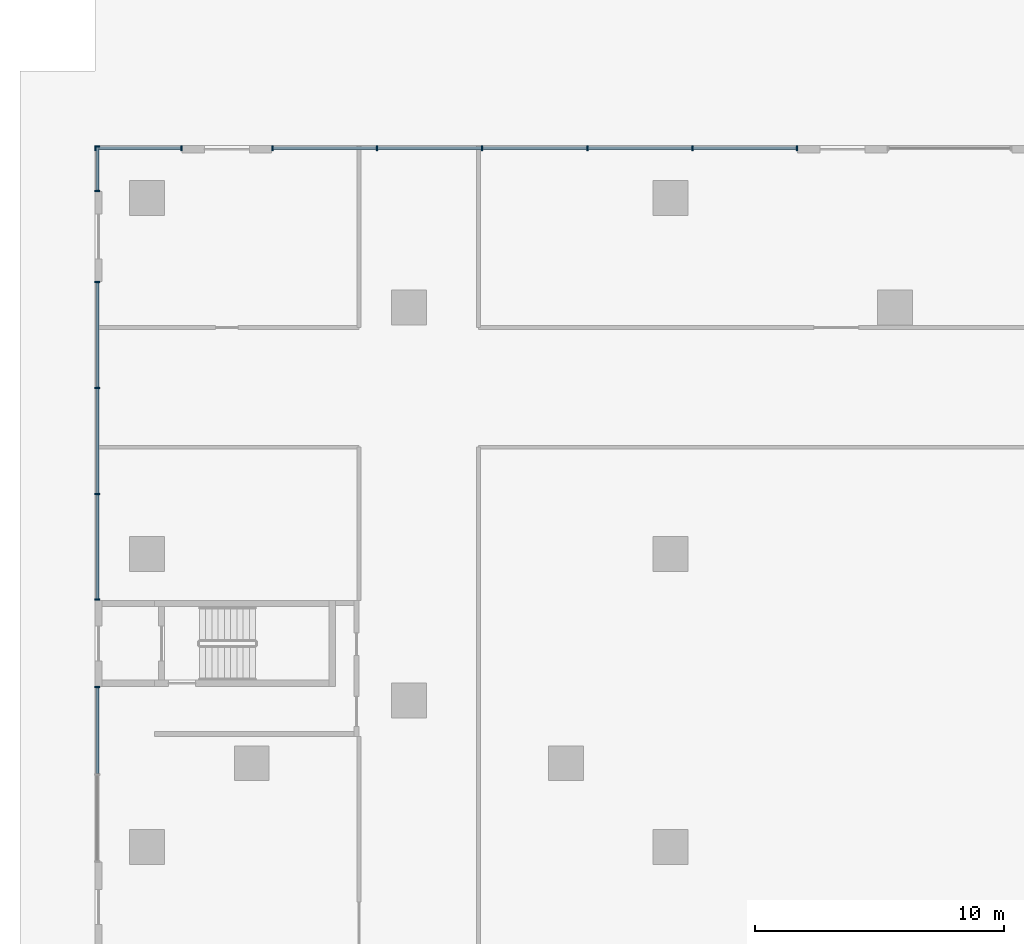
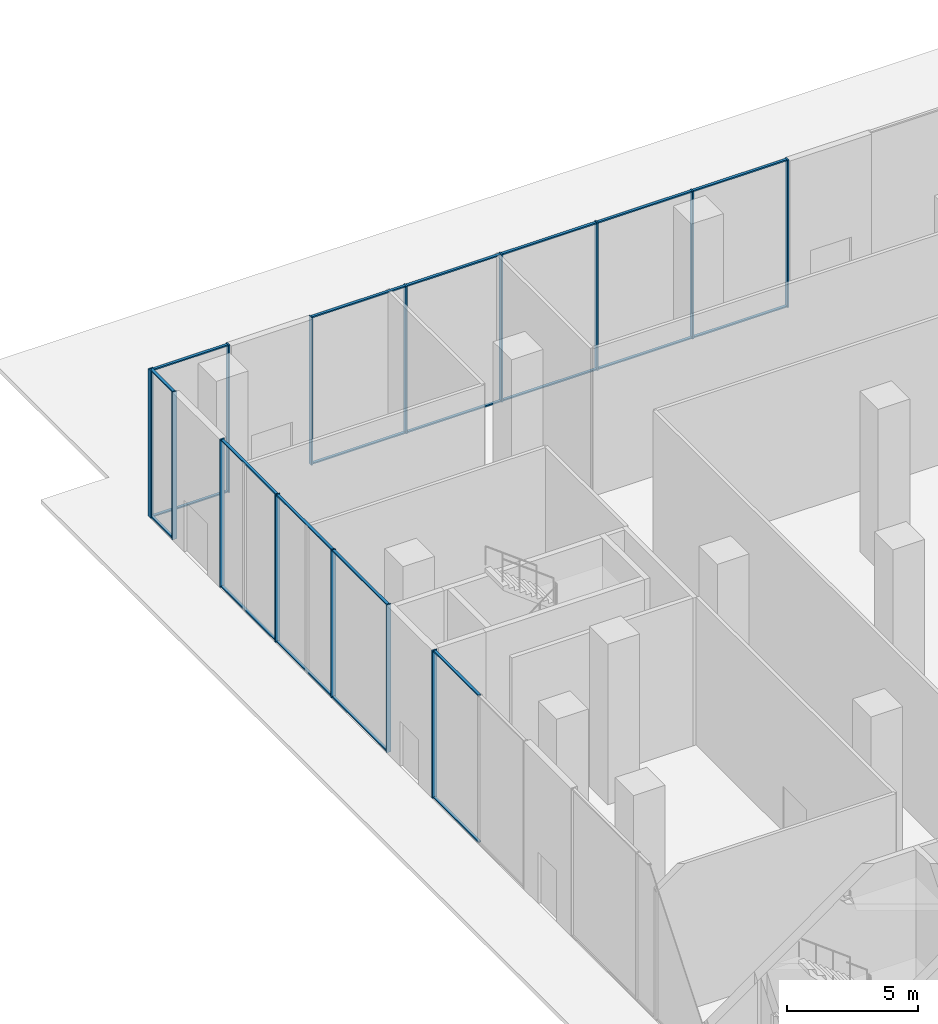
# One storey, part 9 of 26: 37 members, 5 elements without a shape of their own.
"""IFC4 building model written with IfcOpenShell, lengths in metres."""

from ifc_helpers import new_model, si_unit, direction, frame, origin, origin_2d, place, context, subcontext, project, spatial, rectangle, extrude, source, transform, mapped, material, layer, layer_set, material_profile, profile_set, type_object, element, aggregate, save


model = new_model("IFC4")

# Units and contexts
model_context = context("Model", 3, precision=1e-05, world=origin(), true_north=direction((0.0, 1.0)))
body_context = subcontext(model_context, "Body", "Model", "MODEL_VIEW")
ifc_project = project(units=[si_unit("LENGTHUNIT", "METRE"), si_unit("AREAUNIT", "SQUARE_METRE"), si_unit("VOLUMEUNIT", "CUBIC_METRE"), si_unit("PLANEANGLEUNIT", "RADIAN"), si_unit("MASSUNIT", "GRAM", prefix="KILO")], contexts=[model_context])

# Site, building, storey
site_placement = place(None, origin())
site = spatial("IfcSite", under=ifc_project, at=site_placement, CompositionType="ELEMENT")
building_placement = place(site_placement, origin())
building = spatial("IfcBuilding", under=site, at=building_placement, Name="Aurelian Terraces", CompositionType="ELEMENT")
storey_placement = place(building_placement, origin())
storey = spatial("IfcBuildingStorey", under=building, at=storey_placement, Name="L00", CompositionType="ELEMENT", Elevation=0.0)

# Curtain wall, member
ifc_material_1 = material(Name="Anodised aluminium and clear glazing", Category="aluminium")
ifc_layer = layer(ifc_material_1, 0.2)
ifc_layer_set = layer_set([ifc_layer], Name="Podium shopfront curtain wall")
curtain_wall_type = type_object("IfcCurtainWallType", Name="Podium shopfront curtain wall", PredefinedType="NOTDEFINED", material=ifc_layer_set)
curtain_wall_1_placement = place(storey_placement, origin())
curtain_wall_1 = element("IfcCurtainWall", 1, at=curtain_wall_1_placement, inside=storey, type_object=curtain_wall_type, Name="Podium shopfront L00 F06.1", PredefinedType="NOTDEFINED")
ifc_material_2 = material(Name="Anodised aluminium", Category="aluminium")
ifc_material_profile_1 = material_profile(ifc_material_2, rectangle(XDim=0.12, YDim=0.06, at=origin_2d()))
ifc_profile_set_1 = profile_set([ifc_material_profile_1], Name="Anodised aluminium")
member_type_1 = type_object("IfcMemberType", Name="Podium shopfront transom", PredefinedType="USERDEFINED", material=ifc_profile_set_1)
member_1_placement = place(storey_placement, frame((-2.0, 86.04, 0.03), z_axis=(0.0, -1.0, 0.0), x_axis=(1.0, 0.0, 0.0)))
member_1 = element("IfcMember", 2, at=member_1_placement, type_object=member_type_1, Name="CW1 transom 1.1", ObjectType="TRANSOM", PredefinedType="USERDEFINED", context=body_context, shape_type="SweptSolid", body=[
    extrude(rectangle(XDim=0.12, YDim=0.06, at=origin_2d()), origin(), (0.0, 0.0, 1.0), 1.73),
])

# Curtain wall, members
curtain_wall_2_placement = place(storey_placement, origin())
curtain_wall_2 = element("IfcCurtainWall", 3, at=curtain_wall_2_placement, inside=storey, type_object=curtain_wall_type, Name="Podium shopfront L00 F06.3", PredefinedType="NOTDEFINED")
member_2_placement = place(storey_placement, frame((-2.0, 80.59, 0.03), z_axis=(0.0, -1.0, 0.0), x_axis=(1.0, 0.0, 0.0)))
member_2 = element("IfcMember", 4, at=member_2_placement, type_object=member_type_1, Name="CW1 transom 1.1", ObjectType="TRANSOM", PredefinedType="USERDEFINED", context=body_context, shape_type="SweptSolid", body=[
    extrude(rectangle(XDim=0.12, YDim=0.06, at=origin_2d()), origin(), (0.0, 0.0, 1.0), 4.1767),
])
member_3_placement = place(storey_placement, frame((-2.0, 76.3533, 0.03), z_axis=(0.0, -1.0, 0.0), x_axis=(1.0, 0.0, 0.0)))
member_3 = element("IfcMember", 5, at=member_3_placement, type_object=member_type_1, Name="CW1 transom 2.1", ObjectType="TRANSOM", PredefinedType="USERDEFINED", context=body_context, shape_type="SweptSolid", body=[
    extrude(rectangle(XDim=0.12, YDim=0.06, at=origin_2d()), origin(), (0.0, 0.0, 1.0), 4.2066),
])

# Curtain wall, member
curtain_wall_3_placement = place(storey_placement, origin())
curtain_wall_3 = element("IfcCurtainWall", 6, at=curtain_wall_3_placement, inside=storey, type_object=curtain_wall_type, Name="Podium shopfront L00 F06.4", PredefinedType="NOTDEFINED")
member_4_placement = place(storey_placement, frame((-2.0, 64.34, 0.03), z_axis=(0.0, -1.0, 0.0), x_axis=(1.0, 0.0, 0.0)))
member_4 = element("IfcMember", 7, at=member_4_placement, type_object=member_type_1, Name="CW1 transom 1.1", ObjectType="TRANSOM", PredefinedType="USERDEFINED", context=body_context, shape_type="SweptSolid", body=[
    extrude(rectangle(XDim=0.12, YDim=0.06, at=origin_2d()), origin(), (0.0, 0.0, 1.0), 3.435),
])

# Curtain wall, members
curtain_wall_4_placement = place(storey_placement, origin())
curtain_wall_4 = element("IfcCurtainWall", 8, at=curtain_wall_4_placement, inside=storey, type_object=curtain_wall_type, Name="Podium shopfront L00 F05.5", PredefinedType="NOTDEFINED")
ifc_material_profile_2 = material_profile(ifc_material_2, rectangle(XDim=0.2, YDim=0.06, at=origin_2d()))
ifc_profile_set_2 = profile_set([ifc_material_profile_2], Name="Anodised aluminium")
member_type_2 = type_object("IfcMemberType", Name="Podium shopfront mullion", PredefinedType="MULLION", material=ifc_profile_set_2)
shared_shape_1 = source(origin(), body_context, "Body", "SweptSolid", [
    extrude(rectangle(XDim=0.2, YDim=0.06, at=origin_2d()), origin(), (0.0, 0.0, 1.0), 6.9),
])
member_5_placement = place(storey_placement, frame((26.07, 86.0, 0.0), z_axis=(0.0, 0.0, 1.0), x_axis=(0.0, -1.0, 0.0)))
member_5 = element("IfcMember", 9, at=member_5_placement, type_object=member_type_2, Name="CW1 mullion 1", PredefinedType="MULLION", context=body_context, shape_type="MappedRepresentation", body=[
    mapped(shared_shape_1, transform((0.0, 0.0, 0.0), scale=1.0)),
])
member_6_placement = place(storey_placement, frame((21.88, 86.0, 0.0), z_axis=(0.0, 0.0, 1.0), x_axis=(0.0, -1.0, 0.0)))
member_6 = element("IfcMember", 10, at=member_6_placement, type_object=member_type_2, Name="CW1 mullion 2", PredefinedType="MULLION", context=body_context, shape_type="MappedRepresentation", body=[
    mapped(shared_shape_1, transform((0.0, 0.0, 0.0), scale=1.0)),
])
member_7_placement = place(storey_placement, frame((17.66, 86.0, 0.0), z_axis=(0.0, 0.0, 1.0), x_axis=(0.0, -1.0, 0.0)))
member_7 = element("IfcMember", 11, at=member_7_placement, type_object=member_type_2, Name="CW1 mullion 3", PredefinedType="MULLION", context=body_context, shape_type="MappedRepresentation", body=[
    mapped(shared_shape_1, transform((0.0, 0.0, 0.0), scale=1.0)),
])
member_8_placement = place(storey_placement, frame((13.44, 86.0, 0.0), z_axis=(0.0, 0.0, 1.0), x_axis=(0.0, -1.0, 0.0)))
member_8 = element("IfcMember", 12, at=member_8_placement, type_object=member_type_2, Name="CW1 mullion 4", PredefinedType="MULLION", context=body_context, shape_type="MappedRepresentation", body=[
    mapped(shared_shape_1, transform((0.0, 0.0, 0.0), scale=1.0)),
])
member_9_placement = place(storey_placement, frame((9.22, 86.0, 0.0), z_axis=(0.0, 0.0, 1.0), x_axis=(0.0, -1.0, 0.0)))
member_9 = element("IfcMember", 13, at=member_9_placement, type_object=member_type_2, Name="CW1 mullion 5", PredefinedType="MULLION", context=body_context, shape_type="MappedRepresentation", body=[
    mapped(shared_shape_1, transform((0.0, 0.0, 0.0), scale=1.0)),
])
member_10_placement = place(storey_placement, frame((5.03, 86.0, 0.0), z_axis=(0.0, 0.0, 1.0), x_axis=(0.0, -1.0, 0.0)))
member_10 = element("IfcMember", 14, at=member_10_placement, type_object=member_type_2, Name="CW1 mullion 6", PredefinedType="MULLION", context=body_context, shape_type="MappedRepresentation", body=[
    mapped(shared_shape_1, transform((0.0, 0.0, 0.0), scale=1.0)),
])

curtain_wall_5_placement = place(storey_placement, origin())
curtain_wall_5 = element("IfcCurtainWall", 15, at=curtain_wall_5_placement, inside=storey, type_object=curtain_wall_type, Name="Podium shopfront L00 F05.7", PredefinedType="NOTDEFINED")
member_11_placement = place(storey_placement, frame((1.37, 86.0, 0.0), z_axis=(0.0, 0.0, 1.0), x_axis=(0.0, -1.0, 0.0)))
member_11 = element("IfcMember", 16, at=member_11_placement, type_object=member_type_2, Name="CW1 mullion 1", PredefinedType="MULLION", context=body_context, shape_type="MappedRepresentation", body=[
    mapped(shared_shape_1, transform((0.0, 0.0, 0.0), scale=1.0)),
])
member_12_placement = place(storey_placement, frame((-2.07, 86.0, 0.0), z_axis=(0.0, 0.0, 1.0), x_axis=(0.0, -1.0, 0.0)))
member_12 = element("IfcMember", 17, at=member_12_placement, type_object=member_type_2, Name="CW1 mullion 2", PredefinedType="MULLION", context=body_context, shape_type="MappedRepresentation", body=[
    mapped(shared_shape_1, transform((0.0, 0.0, 0.0), scale=1.0)),
])

# Member
member_13_placement = place(storey_placement, frame((-2.0, 86.07, 0.0), z_axis=(0.0, 0.0, 1.0), x_axis=(1.0, 0.0, 0.0)))
member_13 = element("IfcMember", 18, at=member_13_placement, type_object=member_type_2, Name="CW1 mullion 1", PredefinedType="MULLION", context=body_context, shape_type="MappedRepresentation", body=[
    mapped(shared_shape_1, transform((0.0, 0.0, 0.0), scale=1.0)),
])

member_14_placement = place(storey_placement, frame((-2.0, 84.28, 0.0), z_axis=(0.0, 0.0, 1.0), x_axis=(1.0, 0.0, 0.0)))
member_14 = element("IfcMember", 19, at=member_14_placement, type_object=member_type_2, Name="CW1 mullion 2", PredefinedType="MULLION", context=body_context, shape_type="MappedRepresentation", body=[
    mapped(shared_shape_1, transform((0.0, 0.0, 0.0), scale=1.0)),
])

member_15_placement = place(storey_placement, frame((-2.0, 80.62, 0.0), z_axis=(0.0, 0.0, 1.0), x_axis=(1.0, 0.0, 0.0)))
member_15 = element("IfcMember", 20, at=member_15_placement, type_object=member_type_2, Name="CW1 mullion 1", PredefinedType="MULLION", context=body_context, shape_type="MappedRepresentation", body=[
    mapped(shared_shape_1, transform((0.0, 0.0, 0.0), scale=1.0)),
])

member_16_placement = place(storey_placement, frame((-2.0, 76.3833, 0.0), z_axis=(0.0, 0.0, 1.0), x_axis=(1.0, 0.0, 0.0)))
member_16 = element("IfcMember", 21, at=member_16_placement, type_object=member_type_2, Name="CW1 mullion 2", PredefinedType="MULLION", context=body_context, shape_type="MappedRepresentation", body=[
    mapped(shared_shape_1, transform((0.0, 0.0, 0.0), scale=1.0)),
])

member_17_placement = place(storey_placement, frame((-2.0, 72.1167, 0.0), z_axis=(0.0, 0.0, 1.0), x_axis=(1.0, 0.0, 0.0)))
member_17 = element("IfcMember", 22, at=member_17_placement, type_object=member_type_2, Name="CW1 mullion 3", PredefinedType="MULLION", context=body_context, shape_type="MappedRepresentation", body=[
    mapped(shared_shape_1, transform((0.0, 0.0, 0.0), scale=1.0)),
])

member_18_placement = place(storey_placement, frame((-2.0, 67.88, 0.0), z_axis=(0.0, 0.0, 1.0), x_axis=(1.0, 0.0, 0.0)))
member_18 = element("IfcMember", 23, at=member_18_placement, type_object=member_type_2, Name="CW1 mullion 4", PredefinedType="MULLION", context=body_context, shape_type="MappedRepresentation", body=[
    mapped(shared_shape_1, transform((0.0, 0.0, 0.0), scale=1.0)),
])

member_19_placement = place(storey_placement, frame((-2.0, 64.37, 0.0), z_axis=(0.0, 0.0, 1.0), x_axis=(1.0, 0.0, 0.0)))
member_19 = element("IfcMember", 24, at=member_19_placement, type_object=member_type_2, Name="CW1 mullion 1", PredefinedType="MULLION", context=body_context, shape_type="MappedRepresentation", body=[
    mapped(shared_shape_1, transform((0.0, 0.0, 0.0), scale=1.0)),
])

shared_shape_2 = source(origin(), body_context, "Body", "SweptSolid", [
    extrude(rectangle(XDim=0.12, YDim=0.06, at=origin_2d()), origin(), (0.0, 0.0, 1.0), 3.38),
])
member_20_placement = place(storey_placement, frame((1.34, 86.0, 0.03), z_axis=(-1.0, 0.0, 0.0), x_axis=(0.0, -1.0, 0.0)))
member_20 = element("IfcMember", 25, at=member_20_placement, type_object=member_type_1, Name="CW1 transom 1.1", ObjectType="TRANSOM", PredefinedType="USERDEFINED", context=body_context, shape_type="MappedRepresentation", body=[
    mapped(shared_shape_2, transform((0.0, 0.0, 0.0), scale=1.0)),
])

member_21_placement = place(storey_placement, frame((1.34, 86.0, 6.87), z_axis=(-1.0, 0.0, 0.0), x_axis=(0.0, -1.0, 0.0)))
member_21 = element("IfcMember", 26, at=member_21_placement, type_object=member_type_1, Name="CW1 transom 1.2", ObjectType="TRANSOM", PredefinedType="USERDEFINED", context=body_context, shape_type="MappedRepresentation", body=[
    mapped(shared_shape_2, transform((0.0, 0.0, 0.0), scale=1.0)),
])

aggregate(curtain_wall_5, [member_11, member_12, member_20, member_21])

shared_shape_3 = source(origin(), body_context, "Body", "SweptSolid", [
    extrude(rectangle(XDim=0.12, YDim=0.06, at=origin_2d()), origin(), (0.0, 0.0, 1.0), 4.13),
])
member_22_placement = place(storey_placement, frame((26.04, 86.0, 0.03), z_axis=(-1.0, 0.0, 0.0), x_axis=(0.0, -1.0, 0.0)))
member_22 = element("IfcMember", 27, at=member_22_placement, type_object=member_type_1, Name="CW1 transom 1.1", ObjectType="TRANSOM", PredefinedType="USERDEFINED", context=body_context, shape_type="MappedRepresentation", body=[
    mapped(shared_shape_3, transform((0.0, 0.0, 0.0), scale=1.0)),
])

member_23_placement = place(storey_placement, frame((26.04, 86.0, 6.87), z_axis=(-1.0, 0.0, 0.0), x_axis=(0.0, -1.0, 0.0)))
member_23 = element("IfcMember", 28, at=member_23_placement, type_object=member_type_1, Name="CW1 transom 1.2", ObjectType="TRANSOM", PredefinedType="USERDEFINED", context=body_context, shape_type="MappedRepresentation", body=[
    mapped(shared_shape_3, transform((0.0, 0.0, 0.0), scale=1.0)),
])

member_24_placement = place(storey_placement, frame((9.19, 86.0, 0.03), z_axis=(-1.0, 0.0, 0.0), x_axis=(0.0, -1.0, 0.0)))
member_24 = element("IfcMember", 29, at=member_24_placement, type_object=member_type_1, Name="CW1 transom 5.1", ObjectType="TRANSOM", PredefinedType="USERDEFINED", context=body_context, shape_type="MappedRepresentation", body=[
    mapped(shared_shape_3, transform((0.0, 0.0, 0.0), scale=1.0)),
])

member_25_placement = place(storey_placement, frame((9.19, 86.0, 6.87), z_axis=(-1.0, 0.0, 0.0), x_axis=(0.0, -1.0, 0.0)))
member_25 = element("IfcMember", 30, at=member_25_placement, type_object=member_type_1, Name="CW1 transom 5.2", ObjectType="TRANSOM", PredefinedType="USERDEFINED", context=body_context, shape_type="MappedRepresentation", body=[
    mapped(shared_shape_3, transform((0.0, 0.0, 0.0), scale=1.0)),
])

shared_shape_4 = source(origin(), body_context, "Body", "SweptSolid", [
    extrude(rectangle(XDim=0.12, YDim=0.06, at=origin_2d()), origin(), (0.0, 0.0, 1.0), 4.16),
])
member_26_placement = place(storey_placement, frame((21.85, 86.0, 0.03), z_axis=(-1.0, 0.0, 0.0), x_axis=(0.0, -1.0, 0.0)))
member_26 = element("IfcMember", 31, at=member_26_placement, type_object=member_type_1, Name="CW1 transom 2.1", ObjectType="TRANSOM", PredefinedType="USERDEFINED", context=body_context, shape_type="MappedRepresentation", body=[
    mapped(shared_shape_4, transform((0.0, 0.0, 0.0), scale=1.0)),
])

member_27_placement = place(storey_placement, frame((21.85, 86.0, 6.87), z_axis=(-1.0, 0.0, 0.0), x_axis=(0.0, -1.0, 0.0)))
member_27 = element("IfcMember", 32, at=member_27_placement, type_object=member_type_1, Name="CW1 transom 2.2", ObjectType="TRANSOM", PredefinedType="USERDEFINED", context=body_context, shape_type="MappedRepresentation", body=[
    mapped(shared_shape_4, transform((0.0, 0.0, 0.0), scale=1.0)),
])

member_28_placement = place(storey_placement, frame((17.63, 86.0, 0.03), z_axis=(-1.0, 0.0, 0.0), x_axis=(0.0, -1.0, 0.0)))
member_28 = element("IfcMember", 33, at=member_28_placement, type_object=member_type_1, Name="CW1 transom 3.1", ObjectType="TRANSOM", PredefinedType="USERDEFINED", context=body_context, shape_type="MappedRepresentation", body=[
    mapped(shared_shape_4, transform((0.0, 0.0, 0.0), scale=1.0)),
])

member_29_placement = place(storey_placement, frame((17.63, 86.0, 6.87), z_axis=(-1.0, 0.0, 0.0), x_axis=(0.0, -1.0, 0.0)))
member_29 = element("IfcMember", 34, at=member_29_placement, type_object=member_type_1, Name="CW1 transom 3.2", ObjectType="TRANSOM", PredefinedType="USERDEFINED", context=body_context, shape_type="MappedRepresentation", body=[
    mapped(shared_shape_4, transform((0.0, 0.0, 0.0), scale=1.0)),
])

member_30_placement = place(storey_placement, frame((13.41, 86.0, 0.03), z_axis=(-1.0, 0.0, 0.0), x_axis=(0.0, -1.0, 0.0)))
member_30 = element("IfcMember", 35, at=member_30_placement, type_object=member_type_1, Name="CW1 transom 4.1", ObjectType="TRANSOM", PredefinedType="USERDEFINED", context=body_context, shape_type="MappedRepresentation", body=[
    mapped(shared_shape_4, transform((0.0, 0.0, 0.0), scale=1.0)),
])

member_31_placement = place(storey_placement, frame((13.41, 86.0, 6.87), z_axis=(-1.0, 0.0, 0.0), x_axis=(0.0, -1.0, 0.0)))
member_31 = element("IfcMember", 36, at=member_31_placement, type_object=member_type_1, Name="CW1 transom 4.2", ObjectType="TRANSOM", PredefinedType="USERDEFINED", context=body_context, shape_type="MappedRepresentation", body=[
    mapped(shared_shape_4, transform((0.0, 0.0, 0.0), scale=1.0)),
])

aggregate(curtain_wall_4, [member_5, member_6, member_7, member_8, member_9, member_10, member_22, member_23, member_26, member_27, member_28, member_29, member_30, member_31, member_24, member_25])

shared_shape_5 = source(origin(), body_context, "Body", "SweptSolid", [
    extrude(rectangle(XDim=0.12, YDim=0.06, at=origin_2d()), origin(), (0.0, 0.0, 1.0), 1.73),
])
member_32_placement = place(storey_placement, frame((-2.0, 86.04, 6.87), z_axis=(0.0, -1.0, 0.0), x_axis=(1.0, 0.0, 0.0)))
member_32 = element("IfcMember", 37, at=member_32_placement, type_object=member_type_1, Name="CW1 transom 1.2", ObjectType="TRANSOM", PredefinedType="USERDEFINED", context=body_context, shape_type="MappedRepresentation", body=[
    mapped(shared_shape_5, transform((0.0, 0.0, 0.0), scale=1.0)),
])

aggregate(curtain_wall_1, [member_13, member_14, member_1, member_32])

shared_shape_6 = source(origin(), body_context, "Body", "SweptSolid", [
    extrude(rectangle(XDim=0.12, YDim=0.06, at=origin_2d()), origin(), (0.0, 0.0, 1.0), 4.1767),
])
member_33_placement = place(storey_placement, frame((-2.0, 80.59, 6.87), z_axis=(0.0, -1.0, 0.0), x_axis=(1.0, 0.0, 0.0)))
member_33 = element("IfcMember", 38, at=member_33_placement, type_object=member_type_1, Name="CW1 transom 1.2", ObjectType="TRANSOM", PredefinedType="USERDEFINED", context=body_context, shape_type="MappedRepresentation", body=[
    mapped(shared_shape_6, transform((0.0, 0.0, 0.0), scale=1.0)),
])

member_34_placement = place(storey_placement, frame((-2.0, 72.0867, 0.03), z_axis=(0.0, -1.0, 0.0), x_axis=(1.0, 0.0, 0.0)))
member_34 = element("IfcMember", 39, at=member_34_placement, type_object=member_type_1, Name="CW1 transom 3.1", ObjectType="TRANSOM", PredefinedType="USERDEFINED", context=body_context, shape_type="MappedRepresentation", body=[
    mapped(shared_shape_6, transform((0.0, 0.0, 0.0), scale=1.0)),
])

member_35_placement = place(storey_placement, frame((-2.0, 72.0867, 6.87), z_axis=(0.0, -1.0, 0.0), x_axis=(1.0, 0.0, 0.0)))
member_35 = element("IfcMember", 40, at=member_35_placement, type_object=member_type_1, Name="CW1 transom 3.2", ObjectType="TRANSOM", PredefinedType="USERDEFINED", context=body_context, shape_type="MappedRepresentation", body=[
    mapped(shared_shape_6, transform((0.0, 0.0, 0.0), scale=1.0)),
])

shared_shape_7 = source(origin(), body_context, "Body", "SweptSolid", [
    extrude(rectangle(XDim=0.12, YDim=0.06, at=origin_2d()), origin(), (0.0, 0.0, 1.0), 4.2066),
])
member_36_placement = place(storey_placement, frame((-2.0, 76.3533, 6.87), z_axis=(0.0, -1.0, 0.0), x_axis=(1.0, 0.0, 0.0)))
member_36 = element("IfcMember", 41, at=member_36_placement, type_object=member_type_1, Name="CW1 transom 2.2", ObjectType="TRANSOM", PredefinedType="USERDEFINED", context=body_context, shape_type="MappedRepresentation", body=[
    mapped(shared_shape_7, transform((0.0, 0.0, 0.0), scale=1.0)),
])

aggregate(curtain_wall_2, [member_15, member_16, member_17, member_18, member_2, member_33, member_3, member_36, member_34, member_35])

shared_shape_8 = source(origin(), body_context, "Body", "SweptSolid", [
    extrude(rectangle(XDim=0.12, YDim=0.06, at=origin_2d()), origin(), (0.0, 0.0, 1.0), 3.435),
])
member_37_placement = place(storey_placement, frame((-2.0, 64.34, 6.87), z_axis=(0.0, -1.0, 0.0), x_axis=(1.0, 0.0, 0.0)))
member_37 = element("IfcMember", 42, at=member_37_placement, type_object=member_type_1, Name="CW1 transom 1.2", ObjectType="TRANSOM", PredefinedType="USERDEFINED", context=body_context, shape_type="MappedRepresentation", body=[
    mapped(shared_shape_8, transform((0.0, 0.0, 0.0), scale=1.0)),
])

aggregate(curtain_wall_3, [member_19, member_4, member_37])

save(model, "model.ifc")
